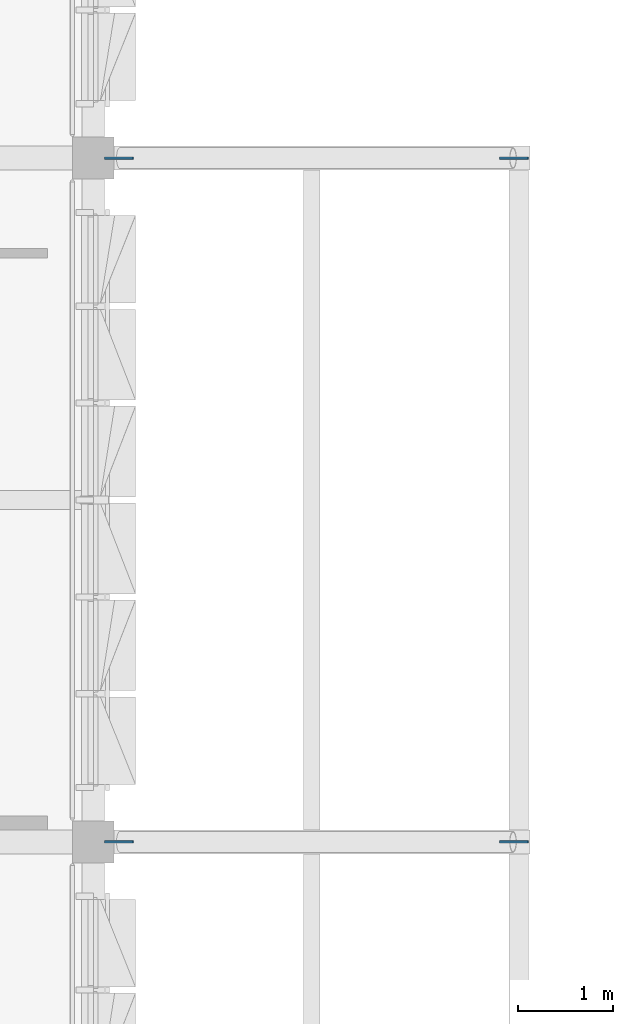
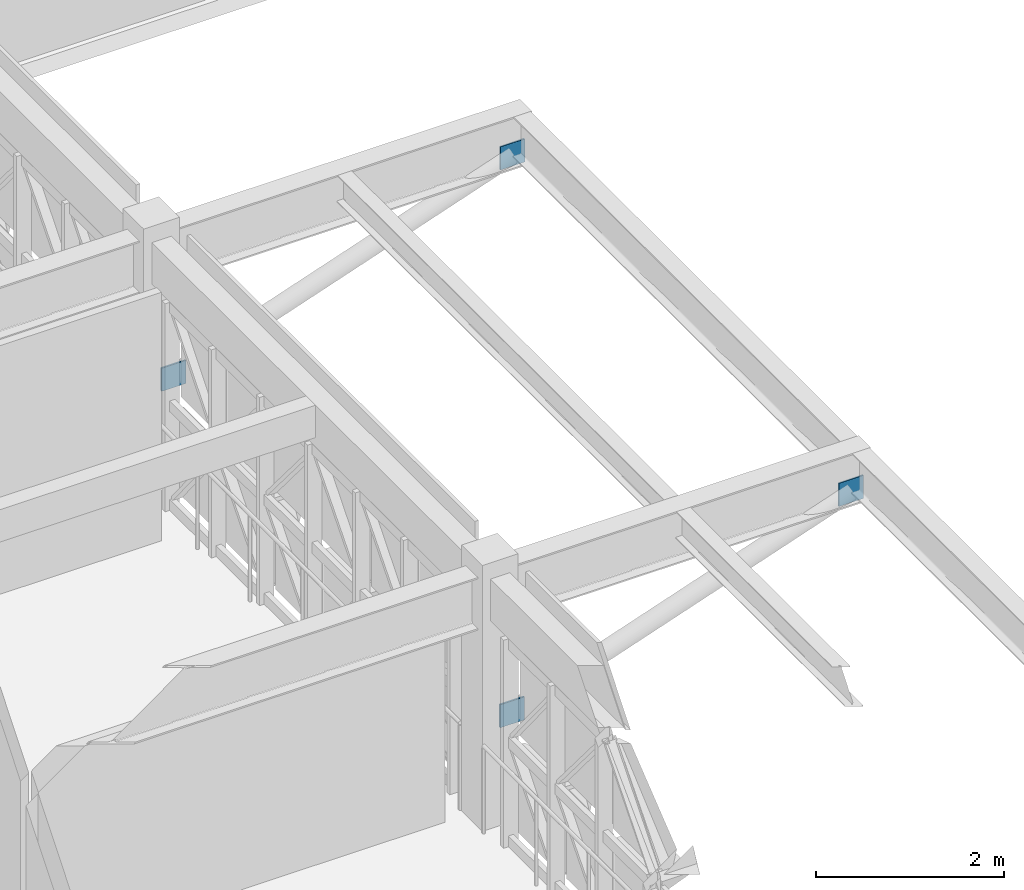
# One storey, part 19 of 30: 4 plates.
"""IFC4 building model written with IfcOpenShell, lengths in metres."""

from ifc_helpers import new_model, si_unit, direction, frame, origin, place, context, subcontext, project, spatial, polyline, outline, extrude, material, layer, layer_set, type_object, element, save


model = new_model("IFC4")

# Units and contexts
model_context = context("Model", 3, precision=1e-05, world=origin(), true_north=direction((0.0, 1.0)))
body_context = subcontext(model_context, "Body", "Model", "MODEL_VIEW")
ifc_project = project(units=[si_unit("LENGTHUNIT", "METRE"), si_unit("AREAUNIT", "SQUARE_METRE"), si_unit("VOLUMEUNIT", "CUBIC_METRE"), si_unit("PLANEANGLEUNIT", "RADIAN"), si_unit("MASSUNIT", "GRAM", prefix="KILO")], contexts=[model_context])

# Site, building, storey
site_placement = place(None, origin())
site = spatial("IfcSite", under=ifc_project, at=site_placement, CompositionType="ELEMENT")
building_placement = place(site_placement, origin())
building = spatial("IfcBuilding", under=site, at=building_placement, Name="Alvorim Cloister Faculty of Sciences", CompositionType="ELEMENT")
storey_placement = place(building_placement, frame((0.0, 0.0, 26.25)))
storey = spatial("IfcBuildingStorey", under=building, at=storey_placement, Name="L07", CompositionType="ELEMENT", Elevation=26.25)

# Plates
ifc_material = material(Name="Steel ASTM A572 Grade 50", Category="steel")
ifc_layer = layer(ifc_material, 0.02001953125)
ifc_layer_set = layer_set([ifc_layer], Name="Steel ASTM A572 Grade 50")
plate_type = type_object("IfcPlateType", Name="PL-GUS-20", PredefinedType="SHEET", material=ifc_layer_set)
for number, where, z_axis, x_axis, name in (
    (1, (28.92041015625, 28.800048828125, 1.0966796875), (0.0, 0.0, 1.0), (1.0, 0.0, 0.0), "Hollow Steel End Plate ND-01"),
    (2, (33.07958984375, 28.800048828125, 2.51318359375), (0.0, 0.0, 1.0), (1.0, 0.0, 0.0), "Hollow Steel End Plate ND-01"),
    (3, (28.92041015625, 36.0, 1.0966796875), (0.0, 0.0, 1.0), (1.0, 0.0, 0.0), "Hollow Steel End Plate ND-01"),
    (4, (33.07958984375, 36.0, 2.51318359375), (0.0, 0.0, 1.0), (1.0, 0.0, 0.0), "Hollow Steel End Plate ND-01"),
):
    element("IfcPlate", number, at=place(storey_placement, frame(where, z_axis=z_axis, x_axis=x_axis)), inside=storey, type_object=plate_type, Name=name, PredefinedType="SHEET", context=body_context, shape_type="SweptSolid", body=[
        extrude(outline(polyline([(0.0, 0.0), (0.300048828125, 0.0), (0.300048828125, 0.300048828125), (0.0, 0.300048828125), (0.0, 0.0)])), frame((0.0, 0.010009765625, 0.0), z_axis=(0.0, -1.0, 0.0), x_axis=(1.0, 0.0, 0.0)), (0.0, 0.0, 1.0), 0.02001953125),
    ])

save(model, "model.ifc")
